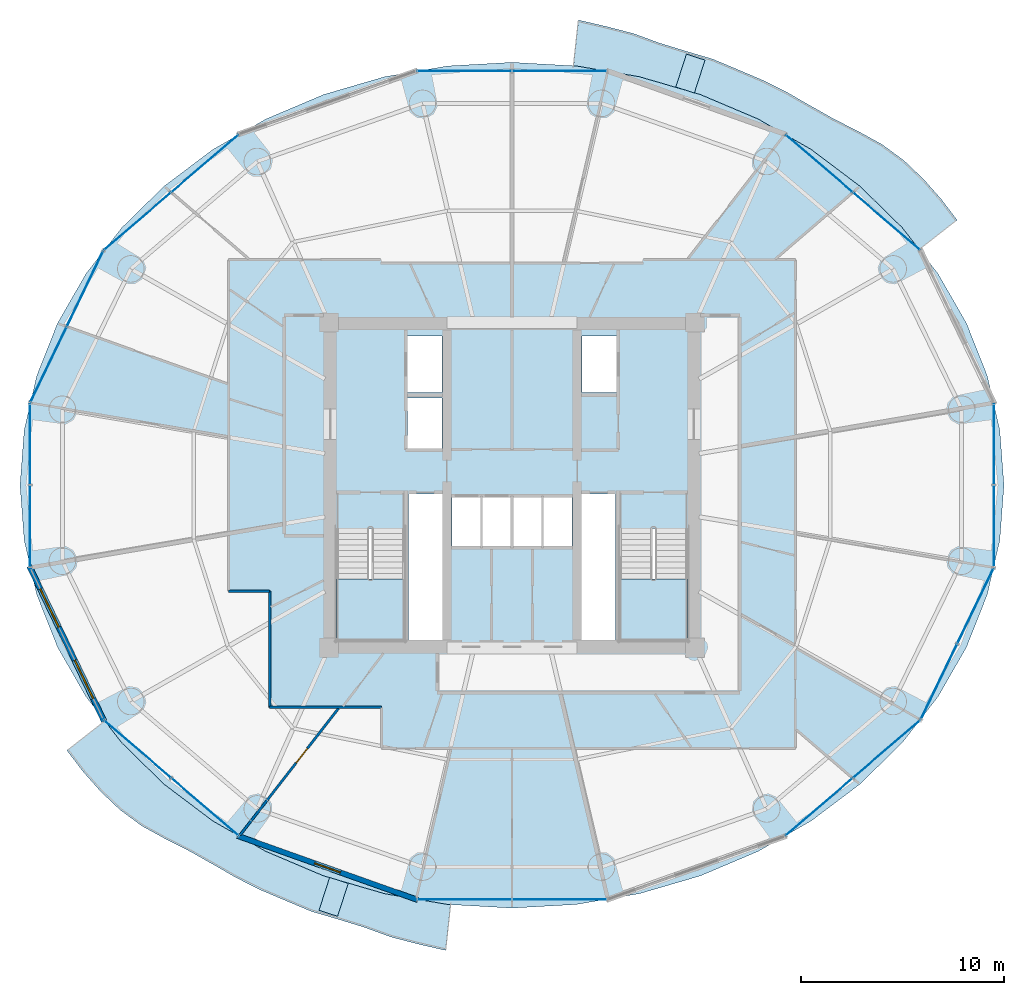
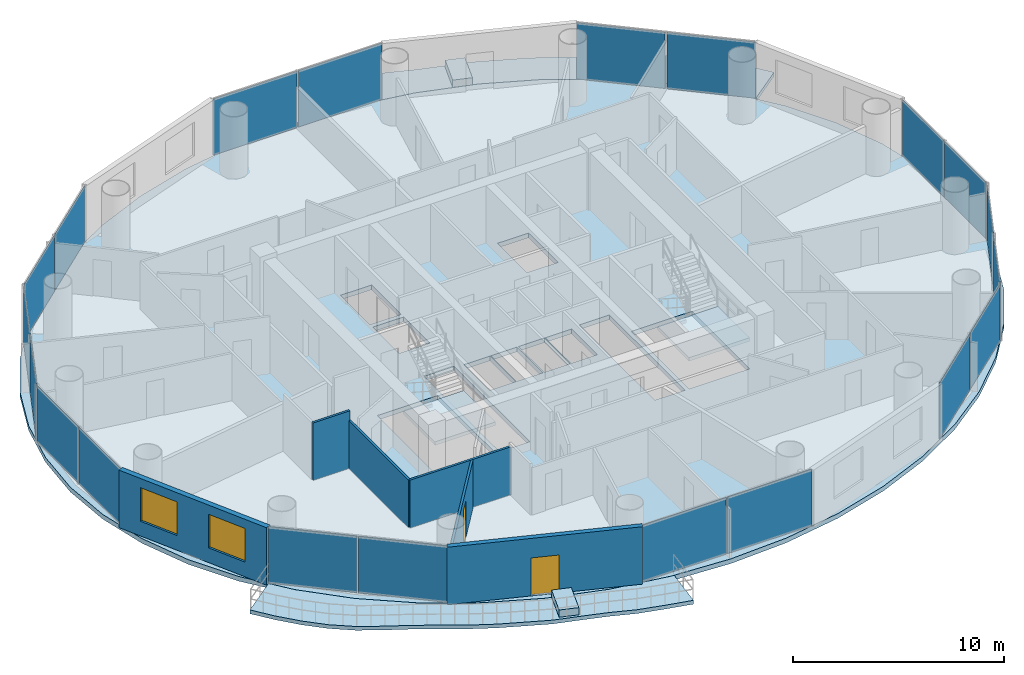
# One storey, part 19 of 26: 20 plates, 7 slabs, 6 walls, 2 doors, 2 windows, 4 openings, 12 elements without a shape of their own.
"""IFC4 building model written with IfcOpenShell, lengths in metres."""

from ifc_helpers import new_model, si_unit, direction, frame, frame_2d, origin, origin_2d, place, context, subcontext, project, spatial, polyline, rectangle, outline, extrude, source, transform, mapped, material, layer, layer_set, type_object, element, fill, aggregate, save


model = new_model("IFC4")

# Units and contexts
model_context = context("Model", 3, precision=1e-05, world=origin(), true_north=direction((-0.2419218956, 0.970295726276)))
body_context = subcontext(model_context, "Body", "Model", "MODEL_VIEW")
ifc_project = project(units=[si_unit("LENGTHUNIT", "METRE"), si_unit("AREAUNIT", "SQUARE_METRE"), si_unit("VOLUMEUNIT", "CUBIC_METRE"), si_unit("PLANEANGLEUNIT", "RADIAN"), si_unit("MASSUNIT", "GRAM", prefix="KILO")], contexts=[model_context])

# Site, building, storey
site_placement = place(None, origin())
site = spatial("IfcSite", under=ifc_project, at=site_placement, CompositionType="ELEMENT")
building_placement = place(site_placement, origin())
building = spatial("IfcBuilding", under=site, at=building_placement, Name="Cobrevalo Terracotta Tower", CompositionType="ELEMENT")
storey_placement = place(building_placement, frame((0.0, 0.0, 139.0)))
storey = spatial("IfcBuildingStorey", under=building, at=storey_placement, Name="L36", CompositionType="ELEMENT", Elevation=139.0)

# Stair, slab
ifc_material_1 = material(Name="Concrete C50", Category="concrete")
stair_type = type_object("IfcStairType", Name="Core protected escape dogleg stair 1600", PredefinedType="HALF_TURN_STAIR", material=ifc_material_1)
stair_1_placement = place(storey_placement, origin())
stair_1 = element("IfcStair", 1, at=stair_1_placement, inside=storey, type_object=stair_type, Name="L36 Protected exit stair ST-1", PredefinedType="HALF_TURN_STAIR")
ifc_layer_1 = layer(ifc_material_1, 0.199951171875)
ifc_layer_set_1 = layer_set([ifc_layer_1], Name="Concrete C50")
slab_type_1 = type_object("IfcSlabType", Name="Reinforced Concrete Stair Landing 200", PredefinedType="LANDING", material=ifc_layer_set_1)
slab_1_placement = place(storey_placement, frame((0.0, 0.0, 1.60009765625)))
slab_1 = element("IfcSlab", 2, at=slab_1_placement, type_object=slab_type_1, Name="ST-1 landing 1", PredefinedType="LANDING", context=body_context, shape_type="SweptSolid", body=[
    extrude(outline(polyline([(29.375, 22.179931640625), (29.375, 19.175048828125), (32.695068359375, 19.175048828125), (32.695068359375, 22.179931640625), (29.375, 22.179931640625)])), origin(), (0.0, 0.0, 1.0), 0.199951171875),
])
aggregate(stair_1, [slab_1])

stair_2_placement = place(storey_placement, origin())
stair_2 = element("IfcStair", 3, at=stair_2_placement, inside=storey, type_object=stair_type, Name="L36 Protected exit stair ST-2", PredefinedType="HALF_TURN_STAIR")
slab_2_placement = place(storey_placement, frame((0.0, 0.0, 1.60009765625)))
slab_2 = element("IfcSlab", 4, at=slab_2_placement, type_object=slab_type_1, Name="ST-2 landing 1", PredefinedType="LANDING", context=body_context, shape_type="SweptSolid", body=[
    extrude(outline(polyline([(43.304931640625, 22.179931640625), (43.304931640625, 19.175048828125), (46.625, 19.175048828125), (46.625, 22.179931640625), (43.304931640625, 22.179931640625)])), origin(), (0.0, 0.0, 1.0), 0.199951171875),
])
aggregate(stair_2, [slab_2])

# Slabs
ifc_material_2 = material(Name="Concrete C45", Category="concrete")
ifc_layer_2 = layer(ifc_material_2, 0.219970703125)
ifc_layer_set_2 = layer_set([ifc_layer_2], Name="Concrete C45")
slab_type_2 = type_object("IfcSlabType", Name="Spiralling cantilevered balcony lobe slab 220 mm", PredefinedType="FLOOR", material=ifc_layer_set_2)
slab_3_placement = place(storey_placement, frame((0.0, 0.0, -0.219970703125)))
element("IfcSlab", 5, at=slab_3_placement, inside=storey, type_object=slab_type_2, Name="L36 spiralling arc balcony slab lobe 1", PredefinedType="FLOOR", context=body_context, shape_type="SweptSolid", body=[
    extrude(outline(polyline([(59.8955078125, 39.8427734375), (59.107177734375, 40.875732421875), (58.234619140625, 41.86181640625), (57.2763671875, 42.771240234375), (56.208740234375, 43.557861328125), (55.029541015625, 44.20703125), (53.843994140625, 44.8076171875), (52.6865234375, 45.461181640625), (51.533935546875, 46.1220703125), (50.340576171875, 46.71923828125), (49.101806640625, 47.24560546875), (47.861328125, 47.765625), (46.556640625, 48.149169921875), (45.256591796875, 48.549072265625), (43.96142578125, 49.021728515625), (42.62060546875, 49.36865234375), (41.26513671875, 49.6826171875), (41.021484375, 47.431884765625), (41.158935546875, 47.424072265625), (44.263916015625, 46.893310546875), (47.26171875, 46.0185546875), (50.10107421875, 44.81494140625), (52.733154296875, 43.30322265625), (55.11328125, 41.50927734375), (57.20068359375, 39.46337890625), (58.036865234375, 38.3876953125), (59.8955078125, 39.8427734375)])), origin(), (0.0, 0.0, 1.0), 0.219970703125),
])
slab_4_placement = place(storey_placement, frame((0.0, 0.0, -0.219970703125)))
element("IfcSlab", 6, at=slab_4_placement, inside=storey, type_object=slab_type_2, Name="L36 spiralling arc balcony slab lobe 2", PredefinedType="FLOOR", context=body_context, shape_type="SweptSolid", body=[
    extrude(outline(polyline([(16.1044921875, 13.75732421875), (16.892822265625, 12.724365234375), (17.765380859375, 11.73828125), (18.7236328125, 10.828857421875), (19.791259765625, 10.0419921875), (20.970458984375, 9.39306640625), (22.156005859375, 8.792236328125), (23.3134765625, 8.138916015625), (24.466064453125, 7.47802734375), (25.659423828125, 6.880615234375), (26.898193359375, 6.354248046875), (28.138671875, 5.83447265625), (29.443359375, 5.45068359375), (30.743408203125, 5.051025390625), (32.03857421875, 4.578369140625), (33.37939453125, 4.2314453125), (34.73486328125, 3.917236328125), (34.978515625, 6.168212890625), (34.841064453125, 6.176025390625), (31.736083984375, 6.706787109375), (28.73828125, 7.58154296875), (25.89892578125, 8.784912109375), (23.266845703125, 10.296630859375), (20.88671875, 12.0908203125), (18.79931640625, 14.136474609375), (17.963134765625, 15.212158203125), (16.1044921875, 13.75732421875)])), origin(), (0.0, 0.0, 1.0), 0.219970703125),
])
ifc_material_3 = material(Name="Precast concrete C45", Category="concrete")
ifc_layer_3 = layer(ifc_material_3, 0.419921875)
ifc_layer_set_3 = layer_set([ifc_layer_3], Name="Precast concrete C45")
slab_type_3 = type_object("IfcSlabType", Name="Structural tree planter trough base 420 mm", PredefinedType="USERDEFINED", material=ifc_layer_set_3)
slab_5_placement = place(storey_placement, origin())
element("IfcSlab", 7, at=slab_5_placement, inside=storey, type_object=slab_type_3, Name="L36 structural tree planter trough 1", ObjectType="PLANTER", PredefinedType="USERDEFINED", context=body_context, shape_type="SweptSolid", body=[
    extrude(outline(polyline([(46.9697265625, 46.09130859375), (47.49267578125, 47.708740234375), (46.579345703125, 48.004150390625), (46.05615234375, 46.38671875), (46.9697265625, 46.09130859375)])), origin(), (0.0, 0.0, 1.0), 0.419921875),
])
slab_6_placement = place(storey_placement, origin())
element("IfcSlab", 8, at=slab_6_placement, inside=storey, type_object=slab_type_3, Name="L36 structural tree planter trough 2", ObjectType="PLANTER", PredefinedType="USERDEFINED", context=body_context, shape_type="SweptSolid", body=[
    extrude(outline(polyline([(29.0302734375, 7.508544921875), (28.50732421875, 5.89111328125), (29.420654296875, 5.595703125), (29.94384765625, 7.21337890625), (29.0302734375, 7.508544921875)])), origin(), (0.0, 0.0, 1.0), 0.419921875),
])
ifc_layer_4 = layer(ifc_material_1, 0.27001953125)
ifc_layer_set_4 = layer_set([ifc_layer_4], Name="Concrete C50")
slab_type_4 = type_object("IfcSlabType", Name="Zone Z3 elliptical floor plate 270 mm", PredefinedType="FLOOR", material=ifc_layer_set_4)
slab_7_placement = place(storey_placement, frame((0.0, 0.0, -0.27001953125)))
element("IfcSlab", 9, at=slab_7_placement, inside=storey, type_object=slab_type_4, Name="L36 indoor elliptical floor slab", PredefinedType="FLOOR", context=body_context, shape_type="SweptSolid", body=[
    extrude(outline(polyline([(61.992919921875, 24.0849609375), (61.37548828125, 21.41650390625), (60.35791015625, 18.840087890625), (58.957763671875, 16.39990234375), (57.19921875, 14.1376953125), (55.112060546875, 12.09228515625), (52.73193359375, 10.29833984375), (50.10009765625, 8.78662109375), (47.260986328125, 7.583251953125), (44.263427734375, 6.708740234375), (41.15869140625, 6.177978515625), (38.0, 6.0), (34.84130859375, 6.177978515625), (31.736572265625, 6.708740234375), (28.739013671875, 7.583251953125), (25.89990234375, 8.78662109375), (23.26806640625, 10.29833984375), (20.887939453125, 12.09228515625), (18.80078125, 14.1376953125), (17.042236328125, 16.39990234375), (15.64208984375, 18.840087890625), (14.62451171875, 21.41650390625), (14.007080078125, 24.0849609375), (13.800048828125, 26.800048828125), (14.007080078125, 29.514892578125), (14.62451171875, 32.183349609375), (15.64208984375, 34.759765625), (17.042236328125, 37.199951171875), (18.80078125, 39.462158203125), (20.887939453125, 41.5078125), (23.26806640625, 43.3017578125), (25.89990234375, 44.813232421875), (28.739013671875, 46.0166015625), (31.736572265625, 46.891357421875), (34.84130859375, 47.422119140625), (38.0, 47.60009765625), (41.15869140625, 47.422119140625), (44.263427734375, 46.891357421875), (47.260986328125, 46.0166015625), (50.10009765625, 44.813232421875), (52.73193359375, 43.3017578125), (55.112060546875, 41.5078125), (57.19921875, 39.462158203125), (58.957763671875, 37.199951171875), (60.35791015625, 34.759765625), (61.37548828125, 32.183349609375), (61.992919921875, 29.514892578125), (62.199951171875, 26.800048828125), (61.992919921875, 24.0849609375)]), holes=[polyline([(32.695068359375, 19.175048828125), (32.695068359375, 24.659912109375), (29.375, 24.659912109375), (29.375, 19.175048828125), (32.695068359375, 19.175048828125)]), polyline([(34.574951171875, 26.360107421875), (32.919921875, 26.360107421875), (32.919921875, 19.175048828125), (34.574951171875, 19.175048828125), (34.574951171875, 26.360107421875)]), polyline([(36.47998046875, 26.25), (35.050048828125, 26.25), (35.050048828125, 23.800048828125), (36.47998046875, 23.800048828125), (36.47998046875, 26.25)]), polyline([(37.9599609375, 23.800048828125), (37.9599609375, 26.25), (36.530029296875, 26.25), (36.530029296875, 23.800048828125), (37.9599609375, 23.800048828125)]), polyline([(34.550048828125, 28.60009765625), (34.550048828125, 31.10009765625), (32.85009765625, 31.10009765625), (32.85009765625, 28.60009765625), (34.550048828125, 28.60009765625)]), polyline([(34.550048828125, 34.14990234375), (32.85009765625, 34.14990234375), (32.85009765625, 31.35009765625), (34.550048828125, 31.35009765625), (34.550048828125, 34.14990234375)]), polyline([(43.304931640625, 19.175048828125), (46.625, 19.175048828125), (46.625, 24.659912109375), (43.304931640625, 24.659912109375), (43.304931640625, 19.175048828125)]), polyline([(43.080078125, 19.175048828125), (43.080078125, 26.360107421875), (41.425048828125, 26.360107421875), (41.425048828125, 19.175048828125), (43.080078125, 19.175048828125)]), polyline([(39.469970703125, 26.25), (38.0400390625, 26.25), (38.0400390625, 23.800048828125), (39.469970703125, 23.800048828125), (39.469970703125, 26.25)]), polyline([(40.949951171875, 23.800048828125), (40.949951171875, 26.25), (39.52001953125, 26.25), (39.52001953125, 23.800048828125), (40.949951171875, 23.800048828125)]), polyline([(43.14990234375, 31.35009765625), (43.14990234375, 34.14990234375), (41.449951171875, 34.14990234375), (41.449951171875, 31.35009765625), (43.14990234375, 31.35009765625)])]), origin(), (0.0, 0.0, 1.0), 0.27001953125),
])

# Curtain wall, plates
ifc_material_4 = material(Name="Anodized aluminium", Category="aluminium")
curtain_wall_type = type_object("IfcCurtainWallType", Name="Mid-tower high-wind unitised curtain wall CW-U2", PredefinedType="NOTDEFINED", material=ifc_material_4)
curtain_wall_1_placement = place(storey_placement, origin())
curtain_wall_1 = element("IfcCurtainWall", 10, at=curtain_wall_1_placement, inside=storey, type_object=curtain_wall_type, Name="L36 curtain wall CW-L36-S02", PredefinedType="NOTDEFINED")
ifc_material_5 = material(Name="Solar-control low-E double glazing", Category="glass")
ifc_layer_5 = layer(ifc_material_5, 0.028076171875)
ifc_layer_set_5 = layer_set([ifc_layer_5], Name="Solar-control low-E double glazing")
plate_type = type_object("IfcPlateType", Name="Tower solar-control low-E vision glass panel 28 mm", PredefinedType="CURTAIN_PANEL", material=ifc_layer_set_5)
shared_shape_1 = source(origin(), body_context, "Body", "SweptSolid", [
    extrude(rectangle(XDim=4.276123046875, YDim=0.035888671875, at=origin_2d()), origin(), (0.0, 0.0, 1.0), 3.25),
])
plate_1_placement = place(storey_placement, frame((56.414306640625, 39.784912109375, 0.0400390625), z_axis=(0.0, 0.0, 1.0), x_axis=(-0.758436996112, 0.651746363955, 0.0)))
plate_1 = element("IfcPlate", 11, at=plate_1_placement, type_object=plate_type, Name="CW-L36-S02 glazing panel B01", PredefinedType="CURTAIN_PANEL", context=body_context, shape_type="MappedRepresentation", body=[
    mapped(shared_shape_1, transform((0.0, 0.0, 0.0), scale=1.0)),
])
plate_2_placement = place(storey_placement, frame((53.1103515625, 42.6240234375, 0.0400390625), z_axis=(0.0, 0.0, 1.0), x_axis=(-0.758436996112, 0.651746363955, 0.0)))
plate_2 = element("IfcPlate", 12, at=plate_2_placement, type_object=plate_type, Name="CW-L36-S02 glazing panel B02", PredefinedType="CURTAIN_PANEL", context=body_context, shape_type="MappedRepresentation", body=[
    mapped(shared_shape_1, transform((0.0, 0.0, 0.0), scale=1.0)),
])
aggregate(curtain_wall_1, [plate_1, plate_2])

curtain_wall_2_placement = place(storey_placement, origin())
curtain_wall_2 = element("IfcCurtainWall", 13, at=curtain_wall_2_placement, inside=storey, type_object=curtain_wall_type, Name="L36 curtain wall CW-L36-S06", PredefinedType="NOTDEFINED")
plate_3_placement = place(storey_placement, frame((22.8896484375, 42.6240234375, 0.0400390625), z_axis=(0.0, 0.0, 1.0), x_axis=(-0.758436996112, -0.651746363955, 0.0)))
plate_3 = element("IfcPlate", 14, at=plate_3_placement, type_object=plate_type, Name="CW-L36-S06 glazing panel B01", PredefinedType="CURTAIN_PANEL", context=body_context, shape_type="MappedRepresentation", body=[
    mapped(shared_shape_1, transform((0.0, 0.0, 0.0), scale=1.0)),
])
plate_4_placement = place(storey_placement, frame((19.585693359375, 39.784912109375, 0.0400390625), z_axis=(0.0, 0.0, 1.0), x_axis=(-0.758436996112, -0.651746363955, 0.0)))
plate_4 = element("IfcPlate", 15, at=plate_4_placement, type_object=plate_type, Name="CW-L36-S06 glazing panel B02", PredefinedType="CURTAIN_PANEL", context=body_context, shape_type="MappedRepresentation", body=[
    mapped(shared_shape_1, transform((0.0, 0.0, 0.0), scale=1.0)),
])
aggregate(curtain_wall_2, [plate_3, plate_4])

curtain_wall_3_placement = place(storey_placement, origin())
curtain_wall_3 = element("IfcCurtainWall", 16, at=curtain_wall_3_placement, inside=storey, type_object=curtain_wall_type, Name="L36 curtain wall CW-L36-S10", PredefinedType="NOTDEFINED")
plate_5_placement = place(storey_placement, frame((19.585693359375, 13.815185546875, 0.0400390625), z_axis=(0.0, 0.0, 1.0), x_axis=(0.758436996112, -0.651746363955, 0.0)))
plate_5 = element("IfcPlate", 17, at=plate_5_placement, type_object=plate_type, Name="CW-L36-S10 glazing panel B01", PredefinedType="CURTAIN_PANEL", context=body_context, shape_type="MappedRepresentation", body=[
    mapped(shared_shape_1, transform((0.0, 0.0, 0.0), scale=1.0)),
])
plate_6_placement = place(storey_placement, frame((22.8896484375, 10.97607421875, 0.0400390625), z_axis=(0.0, 0.0, 1.0), x_axis=(0.758436996112, -0.651746363955, 0.0)))
plate_6 = element("IfcPlate", 18, at=plate_6_placement, type_object=plate_type, Name="CW-L36-S10 glazing panel B02", PredefinedType="CURTAIN_PANEL", context=body_context, shape_type="MappedRepresentation", body=[
    mapped(shared_shape_1, transform((0.0, 0.0, 0.0), scale=1.0)),
])
aggregate(curtain_wall_3, [plate_5, plate_6])

curtain_wall_4_placement = place(storey_placement, origin())
curtain_wall_4 = element("IfcCurtainWall", 19, at=curtain_wall_4_placement, inside=storey, type_object=curtain_wall_type, Name="L36 curtain wall CW-L36-S14", PredefinedType="NOTDEFINED")
plate_7_placement = place(storey_placement, frame((53.1103515625, 10.97607421875, 0.0400390625), z_axis=(0.0, 0.0, 1.0), x_axis=(0.758436996112, 0.651746363955, 0.0)))
plate_7 = element("IfcPlate", 20, at=plate_7_placement, type_object=plate_type, Name="CW-L36-S14 glazing panel B01", PredefinedType="CURTAIN_PANEL", context=body_context, shape_type="MappedRepresentation", body=[
    mapped(shared_shape_1, transform((0.0, 0.0, 0.0), scale=1.0)),
])
plate_8_placement = place(storey_placement, frame((56.414306640625, 13.815185546875, 0.0400390625), z_axis=(0.0, 0.0, 1.0), x_axis=(0.758436996112, 0.651746363955, 0.0)))
plate_8 = element("IfcPlate", 21, at=plate_8_placement, type_object=plate_type, Name="CW-L36-S14 glazing panel B02", PredefinedType="CURTAIN_PANEL", context=body_context, shape_type="MappedRepresentation", body=[
    mapped(shared_shape_1, transform((0.0, 0.0, 0.0), scale=1.0)),
])
aggregate(curtain_wall_4, [plate_7, plate_8])

curtain_wall_5_placement = place(storey_placement, origin())
curtain_wall_5 = element("IfcCurtainWall", 22, at=curtain_wall_5_placement, inside=storey, type_object=curtain_wall_type, Name="L36 curtain wall CW-L36-S04", PredefinedType="NOTDEFINED")
shared_shape_2 = source(origin(), body_context, "Body", "SweptSolid", [
    extrude(rectangle(XDim=4.59521484375, YDim=0.035888671875, at=origin_2d()), origin(), (0.0, 0.0, 1.0), 3.25),
])
plate_9_placement = place(storey_placement, frame((40.337646484375, 47.1708984375, 0.0400390625), z_axis=(0.0, 0.0, 1.0), x_axis=(-1.0, 0.0, 0.0)))
plate_9 = element("IfcPlate", 23, at=plate_9_placement, type_object=plate_type, Name="CW-L36-S04 glazing panel B01", PredefinedType="CURTAIN_PANEL", context=body_context, shape_type="MappedRepresentation", body=[
    mapped(shared_shape_2, transform((0.0, 0.0, 0.0), scale=1.0)),
])
plate_10_placement = place(storey_placement, frame((35.662353515625, 47.1708984375, 0.0400390625), z_axis=(0.0, 0.0, 1.0), x_axis=(-1.0, 0.0, 0.0)))
plate_10 = element("IfcPlate", 24, at=plate_10_placement, type_object=plate_type, Name="CW-L36-S04 glazing panel B02", PredefinedType="CURTAIN_PANEL", context=body_context, shape_type="MappedRepresentation", body=[
    mapped(shared_shape_2, transform((0.0, 0.0, 0.0), scale=1.0)),
])
aggregate(curtain_wall_5, [plate_9, plate_10])

curtain_wall_6_placement = place(storey_placement, origin())
curtain_wall_6 = element("IfcCurtainWall", 25, at=curtain_wall_6_placement, inside=storey, type_object=curtain_wall_type, Name="L36 curtain wall CW-L36-S12", PredefinedType="NOTDEFINED")
plate_11_placement = place(storey_placement, frame((35.662353515625, 6.42919921875, 0.0400390625), z_axis=(0.0, 0.0, 1.0), x_axis=(1.0, 0.0, 0.0)))
plate_11 = element("IfcPlate", 26, at=plate_11_placement, type_object=plate_type, Name="CW-L36-S12 glazing panel B01", PredefinedType="CURTAIN_PANEL", context=body_context, shape_type="MappedRepresentation", body=[
    mapped(shared_shape_2, transform((0.0, 0.0, 0.0), scale=1.0)),
])
plate_12_placement = place(storey_placement, frame((40.337646484375, 6.42919921875, 0.0400390625), z_axis=(0.0, 0.0, 1.0), x_axis=(1.0, 0.0, 0.0)))
plate_12 = element("IfcPlate", 27, at=plate_12_placement, type_object=plate_type, Name="CW-L36-S12 glazing panel B02", PredefinedType="CURTAIN_PANEL", context=body_context, shape_type="MappedRepresentation", body=[
    mapped(shared_shape_2, transform((0.0, 0.0, 0.0), scale=1.0)),
])
aggregate(curtain_wall_6, [plate_11, plate_12])

curtain_wall_7_placement = place(storey_placement, origin())
curtain_wall_7 = element("IfcCurtainWall", 28, at=curtain_wall_7_placement, inside=storey, type_object=curtain_wall_type, Name="L36 curtain wall CW-L36-S07", PredefinedType="NOTDEFINED")
shared_shape_3 = source(origin(), body_context, "Body", "SweptSolid", [
    extrude(rectangle(XDim=4.035888671875, YDim=0.035888671875, at=origin_2d()), origin(), (0.0, 0.0, 1.0), 3.25),
])
plate_13_placement = place(storey_placement, frame((16.992431640625, 36.449462890625, 0.0400390625), z_axis=(0.0, 0.0, 1.0), x_axis=(-0.434209440271, -0.900811945957, 0.0)))
plate_13 = element("IfcPlate", 29, at=plate_13_placement, type_object=plate_type, Name="CW-L36-S07 glazing panel B01", PredefinedType="CURTAIN_PANEL", context=body_context, shape_type="MappedRepresentation", body=[
    mapped(shared_shape_3, transform((0.0, 0.0, 0.0), scale=1.0)),
])
plate_14_placement = place(storey_placement, frame((15.205322265625, 32.741943359375, 0.0400390625), z_axis=(0.0, 0.0, 1.0), x_axis=(-0.434209440271, -0.900811945957, 0.0)))
plate_14 = element("IfcPlate", 30, at=plate_14_placement, type_object=plate_type, Name="CW-L36-S07 glazing panel B02", PredefinedType="CURTAIN_PANEL", context=body_context, shape_type="MappedRepresentation", body=[
    mapped(shared_shape_3, transform((0.0, 0.0, 0.0), scale=1.0)),
])
aggregate(curtain_wall_7, [plate_13, plate_14])

curtain_wall_8_placement = place(storey_placement, origin())
curtain_wall_8 = element("IfcCurtainWall", 31, at=curtain_wall_8_placement, inside=storey, type_object=curtain_wall_type, Name="L36 curtain wall CW-L36-S15", PredefinedType="NOTDEFINED")
plate_15_placement = place(storey_placement, frame((59.007568359375, 17.150634765625, 0.0400390625), z_axis=(0.0, 0.0, 1.0), x_axis=(0.434209440271, 0.900811945957, 0.0)))
plate_15 = element("IfcPlate", 32, at=plate_15_placement, type_object=plate_type, Name="CW-L36-S15 glazing panel B01", PredefinedType="CURTAIN_PANEL", context=body_context, shape_type="MappedRepresentation", body=[
    mapped(shared_shape_3, transform((0.0, 0.0, 0.0), scale=1.0)),
])
plate_16_placement = place(storey_placement, frame((60.794677734375, 20.858154296875, 0.0400390625), z_axis=(0.0, 0.0, 1.0), x_axis=(0.434209440271, 0.900811945957, 0.0)))
plate_16 = element("IfcPlate", 33, at=plate_16_placement, type_object=plate_type, Name="CW-L36-S15 glazing panel B02", PredefinedType="CURTAIN_PANEL", context=body_context, shape_type="MappedRepresentation", body=[
    mapped(shared_shape_3, transform((0.0, 0.0, 0.0), scale=1.0)),
])
aggregate(curtain_wall_8, [plate_15, plate_16])

curtain_wall_9_placement = place(storey_placement, origin())
curtain_wall_9 = element("IfcCurtainWall", 34, at=curtain_wall_9_placement, inside=storey, type_object=curtain_wall_type, Name="L36 curtain wall CW-L36-S08", PredefinedType="NOTDEFINED")
shared_shape_4 = source(origin(), body_context, "Body", "SweptSolid", [
    extrude(rectangle(XDim=3.931884765625, YDim=0.035888671875, at=origin_2d()), origin(), (0.0, 0.0, 1.0), 3.25),
])
plate_17_placement = place(storey_placement, frame((14.29443359375, 28.805908203125, 0.0400390625), z_axis=(0.0, 0.0, 1.0), x_axis=(0.0, -1.0, 0.0)))
plate_17 = element("IfcPlate", 35, at=plate_17_placement, type_object=plate_type, Name="CW-L36-S08 glazing panel B01", PredefinedType="CURTAIN_PANEL", context=body_context, shape_type="MappedRepresentation", body=[
    mapped(shared_shape_4, transform((0.0, 0.0, 0.0), scale=1.0)),
])
plate_18_placement = place(storey_placement, frame((14.29443359375, 24.7939453125, 0.0400390625), z_axis=(0.0, 0.0, 1.0), x_axis=(0.0, -1.0, 0.0)))
plate_18 = element("IfcPlate", 36, at=plate_18_placement, type_object=plate_type, Name="CW-L36-S08 glazing panel B02", PredefinedType="CURTAIN_PANEL", context=body_context, shape_type="MappedRepresentation", body=[
    mapped(shared_shape_4, transform((0.0, 0.0, 0.0), scale=1.0)),
])
aggregate(curtain_wall_9, [plate_17, plate_18])

curtain_wall_10_placement = place(storey_placement, origin())
curtain_wall_10 = element("IfcCurtainWall", 37, at=curtain_wall_10_placement, inside=storey, type_object=curtain_wall_type, Name="L36 curtain wall CW-L36-S16", PredefinedType="NOTDEFINED")
plate_19_placement = place(storey_placement, frame((61.70556640625, 24.7939453125, 0.0400390625), z_axis=(0.0, 0.0, 1.0), x_axis=(0.0, 1.0, 0.0)))
plate_19 = element("IfcPlate", 38, at=plate_19_placement, type_object=plate_type, Name="CW-L36-S16 glazing panel B01", PredefinedType="CURTAIN_PANEL", context=body_context, shape_type="MappedRepresentation", body=[
    mapped(shared_shape_4, transform((0.0, 0.0, 0.0), scale=1.0)),
])
plate_20_placement = place(storey_placement, frame((61.70556640625, 28.805908203125, 0.0400390625), z_axis=(0.0, 0.0, 1.0), x_axis=(0.0, 1.0, 0.0)))
plate_20 = element("IfcPlate", 39, at=plate_20_placement, type_object=plate_type, Name="CW-L36-S16 glazing panel B02", PredefinedType="CURTAIN_PANEL", context=body_context, shape_type="MappedRepresentation", body=[
    mapped(shared_shape_4, transform((0.0, 0.0, 0.0), scale=1.0)),
])
aggregate(curtain_wall_10, [plate_19, plate_20])

# Wall, openings, windows
ifc_material_6 = material(Name="Autoclaved aerated concrete block", Category="concrete")
ifc_layer_6 = layer(ifc_material_6, 0.280029296875)
ifc_layer_set_6 = layer_set([ifc_layer_6], Name="Autoclaved aerated concrete block")
wall_type_1 = type_object("IfcWallType", Name="Insulated tower spandrel & pier wall 280 mm with terracotta rainscreen", PredefinedType="SOLIDWALL", material=ifc_layer_set_6)
wall_1_placement = place(storey_placement, frame((14.259765625, 22.820068359375, 0.0), z_axis=(0.0, 0.0, 1.0), x_axis=(0.434209827226, -0.900811759437, 0.0)))
wall_1 = element("IfcWall", 40, at=wall_1_placement, inside=storey, type_object=wall_type_1, Name="L36 terracotta rainscreen pier wall S09", PredefinedType="SOLIDWALL", context=body_context, shape_type="SweptSolid", body=[
    extrude(rectangle(XDim=8.4716796875, YDim=0.280029296875, at=frame_2d((4.23583984375, 0.0))), origin(), (0.0, 0.0, 1.0), 3.330078125),
])
opening_1_placement = place(wall_1_placement, frame((1.2373046875, 0.0, 0.85009765625)))
opening_1 = element("IfcOpeningElement", 41, at=opening_1_placement, cuts=wall_1, Name="Opening WN-10", PredefinedType="OPENING", context=body_context, shape_type="SweptSolid", body=[
    extrude(rectangle(XDim=2.10009765625, YDim=1.949951171875, at=frame_2d((1.050048828125, 0.97509765625))), frame((0.0, 0.14990234375, 0.0), z_axis=(0.0, -1.0, 0.0), x_axis=(1.0, 0.0, 0.0)), (0.0, 0.0, 1.0), 0.300048828125),
])
opening_2_placement = place(wall_1_placement, frame((5.13427734375, 0.0, 0.85009765625)))
opening_2 = element("IfcOpeningElement", 42, at=opening_2_placement, cuts=wall_1, Name="Opening WN-10", PredefinedType="OPENING", context=body_context, shape_type="SweptSolid", body=[
    extrude(rectangle(XDim=2.10009765625, YDim=1.949951171875, at=frame_2d((1.050048828125, 0.97509765625))), frame((0.0, 0.14990234375, 0.0), z_axis=(0.0, -1.0, 0.0), x_axis=(1.0, 0.0, 0.0)), (0.0, 0.0, 1.0), 0.300048828125),
])
window_type = type_object("IfcWindowType", Name="Wide panoramic low-E aluminium window 2100x1950", PartitioningType="SINGLE_PANEL", PredefinedType="WINDOW", material=ifc_material_5)
shared_shape_5 = source(origin(), body_context, "Body", "SweptSolid", [
    extrude(rectangle(XDim=2.10009765625, YDim=1.949951171875, at=frame_2d((1.050048828125, 0.97509765625))), frame((0.0, 0.030029296875, 0.0), z_axis=(0.0, -1.0, 0.0), x_axis=(1.0, 0.0, 0.0)), (0.0, 0.0, 1.0), 0.06005859375),
])
window_1_placement = place(opening_1_placement, origin())
window_1 = element("IfcWindow", 43, at=window_1_placement, inside=storey, type_object=window_type, Name="L36 suite window S09A", OverallHeight=1.949951171875, OverallWidth=2.10009765625, PartitioningType="SINGLE_PANEL", PredefinedType="WINDOW", context=body_context, shape_type="MappedRepresentation", body=[
    mapped(shared_shape_5, transform((0.0, 0.0, 0.0), scale=1.0)),
])
fill(opening_1, window_1)
window_2_placement = place(opening_2_placement, origin())
window_2 = element("IfcWindow", 44, at=window_2_placement, inside=storey, type_object=window_type, Name="L36 suite window S09B", OverallHeight=1.949951171875, OverallWidth=2.10009765625, PartitioningType="SINGLE_PANEL", PredefinedType="WINDOW", context=body_context, shape_type="MappedRepresentation", body=[
    mapped(shared_shape_5, transform((0.0, 0.0, 0.0), scale=1.0)),
])
fill(opening_2, window_2)

# Wall, opening, door
ifc_layer_7 = layer(ifc_material_6, 0.260009765625)
ifc_layer_set_7 = layer_set([ifc_layer_7], Name="Autoclaved aerated concrete block")
wall_type_2 = type_object("IfcWallType", Name="Recessed balcony loggia insulated exterior wall 260 mm", PredefinedType="SOLIDWALL", material=ifc_layer_set_7)
wall_2_placement = place(storey_placement, frame((24.49658203125, 9.55712890625, 0.0), z_axis=(0.0, 0.0, 1.0), x_axis=(0.942103604331, -0.335321932934, 0.0)))
wall_2 = element("IfcWall", 45, at=wall_2_placement, inside=storey, type_object=wall_type_2, Name="L36 balcony loggia wall S11", PredefinedType="SOLIDWALL", context=body_context, shape_type="SweptSolid", body=[
    extrude(rectangle(XDim=9.408203125, YDim=0.260009765625, at=frame_2d((4.7041015625, 0.0))), origin(), (0.0, 0.0, 1.0), 3.330078125),
])
opening_3_placement = place(wall_2_placement, frame((4.029052734375, 0.0, 0.0)))
opening_3 = element("IfcOpeningElement", 46, at=opening_3_placement, cuts=wall_2, Name="Opening ED-05", PredefinedType="OPENING", context=body_context, shape_type="SweptSolid", body=[
    extrude(rectangle(XDim=1.35009765625, YDim=2.199951171875, at=frame_2d((0.675048828125, 1.10009765625))), frame((0.0, 0.14013671875, 0.0), z_axis=(0.0, -1.0, 0.0), x_axis=(1.0, 0.0, 0.0)), (0.0, 0.0, 1.0), 0.280029296875),
])
ifc_material_7 = material(Name="Anodized aluminium and laminated glass", Category="aluminium")
door_type_1 = type_object("IfcDoorType", Name="Suite balcony acoustic glazed terrace door 1350x2200", OperationType="NOTDEFINED", PredefinedType="DOOR", material=ifc_material_7)
shared_shape_6 = source(origin(), body_context, "Body", "SweptSolid", [
    extrude(rectangle(XDim=1.35009765625, YDim=2.199951171875, at=frame_2d((0.675048828125, 1.10009765625))), frame((0.0, 0.02490234375, 0.0), z_axis=(0.0, -1.0, 0.0), x_axis=(1.0, 0.0, 0.0)), (0.0, 0.0, 1.0), 0.050048828125),
])
door_1_placement = place(opening_3_placement, frame((1.35009765625, 0.0, 0.0), z_axis=(0.0, 0.0, 1.0), x_axis=(-1.0, 0.0, 0.0)))
door_1 = element("IfcDoor", 47, at=door_1_placement, inside=storey, type_object=door_type_1, Name="L36 glazed balcony terrace door 2", OperationType="SINGLE_SWING_RIGHT", OverallHeight=2.199951171875, OverallWidth=1.35009765625, PredefinedType="DOOR", context=body_context, shape_type="MappedRepresentation", body=[
    mapped(shared_shape_6, transform((0.0, 0.0, 0.0), scale=1.0)),
])
fill(opening_3, door_1)

# Walls
ifc_material_8 = material(Name="Gypsum board on steel stud", Category="steel")
ifc_layer_8 = layer(ifc_material_8, 0.1201171875)
ifc_layer_set_8 = layer_set([ifc_layer_8], Name="Gypsum board on steel stud")
wall_type_3 = type_object("IfcWallType", Name="Residential internal acoustic stud partition 120 mm", PredefinedType="PARTITIONING", material=ifc_layer_set_8)
wall_3_placement = place(storey_placement, frame((31.590087890625, 15.875, 0.0), z_axis=(0.0, 0.0, 1.0), x_axis=(-1.0, 0.0, 0.0)))
element("IfcWall", 48, at=wall_3_placement, inside=storey, type_object=wall_type_3, Name="L36 interior partition IW-L36-U3-RING2_0", PredefinedType="PARTITIONING", context=body_context, shape_type="SweptSolid", body=[
    extrude(rectangle(XDim=5.51513671875, YDim=0.1201171875, at=frame_2d((2.757568359375, 0.0))), origin(), (0.0, 0.0, 1.0), 2.77587890625),
])
wall_4_placement = place(storey_placement, frame((26.074951171875, 15.875, 0.0), z_axis=(0.0, 0.0, 1.0), x_axis=(0.0, 1.0, 0.0)))
element("IfcWall", 49, at=wall_4_placement, inside=storey, type_object=wall_type_3, Name="L36 interior partition IW-L36-U3-RING3_0", PredefinedType="PARTITIONING", context=body_context, shape_type="SweptSolid", body=[
    extrude(rectangle(XDim=5.715087890625, YDim=0.1201171875, at=frame_2d((2.857421875, 0.0))), origin(), (0.0, 0.0, 1.0), 2.77587890625),
])
wall_5_placement = place(storey_placement, frame((26.074951171875, 21.590087890625, 0.0), z_axis=(0.0, 0.0, 1.0), x_axis=(-1.0, 0.0, 0.0)))
element("IfcWall", 50, at=wall_5_placement, inside=storey, type_object=wall_type_3, Name="L36 interior partition IW-L36-U3-RING4_0", PredefinedType="PARTITIONING", context=body_context, shape_type="SweptSolid", body=[
    extrude(rectangle(XDim=2.010009765625, YDim=0.1201171875, at=frame_2d((1.0048828125, 0.0))), origin(), (0.0, 0.0, 1.0), 3.330078125),
])

# Wall, opening, door
wall_6_placement = place(storey_placement, frame((29.46875, 15.826171875, 0.0), z_axis=(0.0, 0.0, 1.0), x_axis=(-0.61373942367, -0.789508657225, 0.0)))
wall_6 = element("IfcWall", 51, at=wall_6_placement, inside=storey, type_object=wall_type_3, Name="L36 interior partition IW-L36-U3-ORAD1", PredefinedType="PARTITIONING", context=body_context, shape_type="SweptSolid", body=[
    extrude(rectangle(XDim=7.897705078125, YDim=0.1201171875, at=frame_2d((3.94873046875, 0.0))), origin(), (0.0, 0.0, 1.0), 2.77587890625),
])
opening_4_placement = place(wall_6_placement, frame((2.49609375, 0.0, 0.0)))
opening_4 = element("IfcOpeningElement", 52, at=opening_4_placement, cuts=wall_6, Name="Opening ID-12", PredefinedType="OPENING", context=body_context, shape_type="SweptSolid", body=[
    extrude(rectangle(XDim=0.89990234375, YDim=2.14990234375, at=frame_2d((0.449951171875, 1.074951171875))), frame((0.0, 0.070068359375, 0.0), z_axis=(0.0, -1.0, 0.0), x_axis=(1.0, 0.0, 0.0)), (0.0, 0.0, 1.0), 0.14013671875),
])
ifc_material_9 = material(Name="Engineered timber", Category="wood")
door_type_2 = type_object("IfcDoorType", Name="Internal residence & suite timber door 900x2150", OperationType="NOTDEFINED", PredefinedType="DOOR", material=ifc_material_9)
shared_shape_7 = source(origin(), body_context, "Body", "SweptSolid", [
    extrude(rectangle(XDim=0.89990234375, YDim=2.14990234375, at=frame_2d((0.449951171875, 1.074951171875))), frame((0.0, 0.02490234375, 0.0), z_axis=(0.0, -1.0, 0.0), x_axis=(1.0, 0.0, 0.0)), (0.0, 0.0, 1.0), 0.050048828125),
])
door_2_placement = place(opening_4_placement, frame((0.89990234375, 0.0, 0.0), z_axis=(0.0, 0.0, 1.0), x_axis=(-1.0, 0.0, 0.0)))
door_2 = element("IfcDoor", 53, at=door_2_placement, inside=storey, type_object=door_type_2, Name="Flat L36C Penthouse Living and Dining Room internal door", OperationType="SINGLE_SWING_RIGHT", OverallHeight=2.14990234375, OverallWidth=0.89990234375, PredefinedType="DOOR", context=body_context, shape_type="MappedRepresentation", body=[
    mapped(shared_shape_7, transform((0.0, 0.0, 0.0), scale=1.0)),
])
fill(opening_4, door_2)

save(model, "model.ifc")
